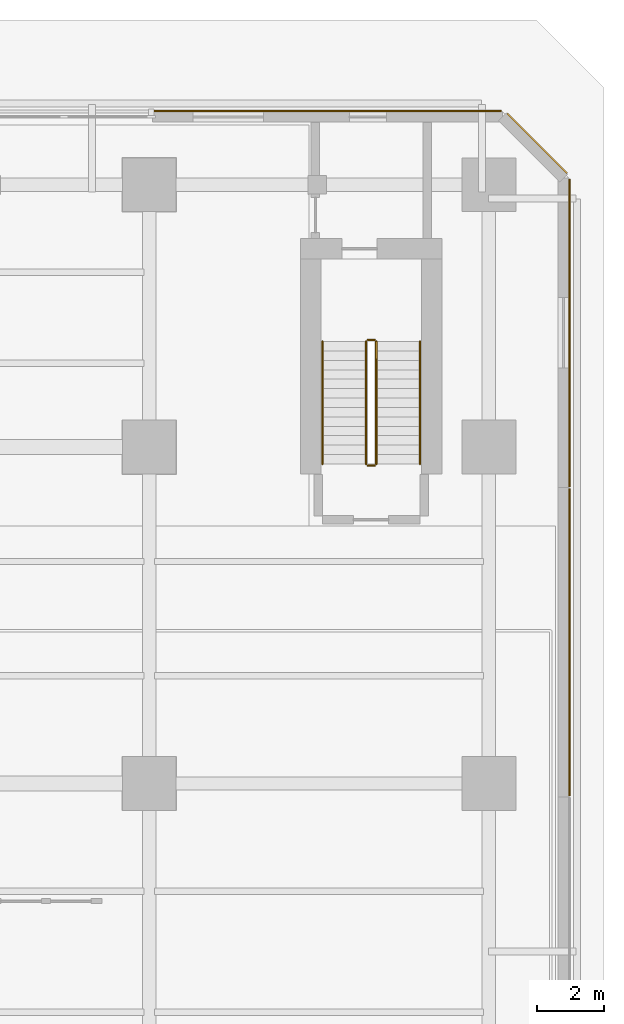
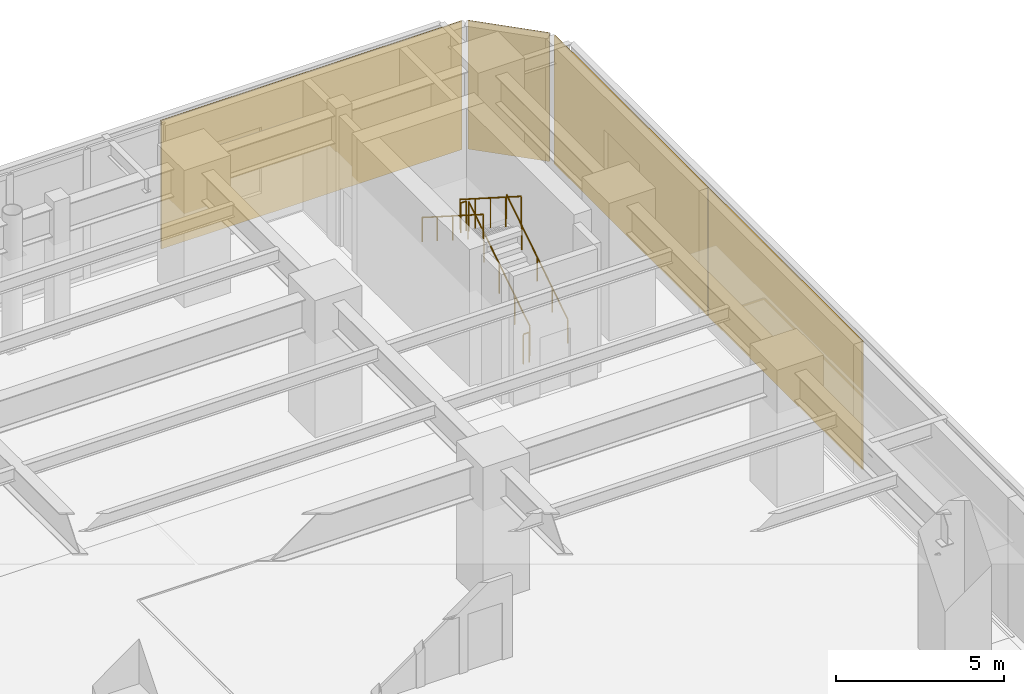
# One storey, part 25 of 26: 6 railings, 4 coverings.
"""IFC4 building model written with IfcOpenShell, lengths in metres."""

import ifcopenshell
import ifcopenshell.guid

model = None  # the IFC model being written
_history = None  # IfcOwnerHistory: only IFC2X3 demands one
_inside = {}  # id of a spatial element -> (the spatial element, [elements in it])
_under = {}  # id of a project, library or spatial element -> (it, [spatial elements below it])
_declared = {}  # id of a project -> (the project, [libraries it declares])
_typed = {}  # id of a type object -> (the type object, [elements of that type])
_made_of = {}  # id of a material, layer set ... -> (it, [elements and type objects made of it])


def new_model(schema):
    """Start an empty IFC model of exactly this schema.

    Asked for "IFC4X3", IfcOpenShell would pick the latest addendum, in which some entities
    have other attributes; the version numbers below select the first issue.
    IFC2X3 requires an IfcOwnerHistory on every rooted entity: one is made here for all.
    """
    global model, _history
    if schema == "IFC4X3":
        model = ifcopenshell.file(schema_version=(4, 3, 0, 0))
    else:
        model = ifcopenshell.file(schema=schema)
    _inside.clear()
    _under.clear()
    _declared.clear()
    _typed.clear()
    _made_of.clear()
    _history = None
    if model.schema == "IFC2X3":
        org = make("IfcOrganization", Name="unknown")
        user = make(
            "IfcPersonAndOrganization",
            ThePerson=make("IfcPerson", FamilyName="unknown"),
            TheOrganization=org,
        )
        app = make(
            "IfcApplication",
            ApplicationDeveloper=org,
            Version="unknown",
            ApplicationFullName="unknown",
            ApplicationIdentifier="unknown",
        )
        _history = make(
            "IfcOwnerHistory",
            OwningUser=user,
            OwningApplication=app,
            ChangeAction="ADDED",
            CreationDate=0,
        )
    return model


def make(cls, **values):
    """One entity of the class cls with the attributes given. An attribute that is None is left unset."""
    return model.create_entity(
        cls, **{name: value for name, value in values.items() if value is not None}
    )


def rooted(cls, **values):
    """An entity with a GlobalId (a new one), such as an element, a storey or a relation."""
    return make(cls, GlobalId=ifcopenshell.guid.new(), OwnerHistory=_history, **values)


def si_unit(unit_type, name, prefix=None):
    """IfcSIUnit, for example si_unit("LENGTHUNIT", "METRE", prefix="MILLI")."""
    return make("IfcSIUnit", UnitType=unit_type, Prefix=prefix, Name=name)


def assignment(units):
    """IfcUnitAssignment: the units of a project."""
    return None if units is None else make("IfcUnitAssignment", Units=units)


def point(xyz):
    """IfcCartesianPoint."""
    return None if xyz is None else make("IfcCartesianPoint", Coordinates=xyz)


def direction(xyz):
    """IfcDirection."""
    return None if xyz is None else make("IfcDirection", DirectionRatios=xyz)


def frame(location, z_axis=None, x_axis=None):
    """IfcAxis2Placement3D, a coordinate frame: its origin and axes. An axis left out is left unset."""
    return make(
        "IfcAxis2Placement3D",
        Location=point(location),
        Axis=direction(z_axis),
        RefDirection=direction(x_axis),
    )


def frame_2d(location, x_axis=None):
    """IfcAxis2Placement2D, a coordinate frame in the plane: its origin and x axis."""
    return make(
        "IfcAxis2Placement2D", Location=point(location), RefDirection=direction(x_axis)
    )


def origin():
    """The frame at (0, 0, 0) with its axes left unset."""
    return frame((0.0, 0.0, 0.0))


def origin_2d():
    """The frame at (0, 0) in the plane with its x axis left unset."""
    return frame_2d((0.0, 0.0))


def place(relative_to, where):
    """IfcLocalPlacement: puts the frame where relative to a parent placement (None: the world)."""
    return make(
        "IfcLocalPlacement", PlacementRelTo=relative_to, RelativePlacement=where
    )


def context(
    kind, dimensions, precision=None, world=None, true_north=None, identifier=None
):
    """IfcGeometricRepresentationContext, for example the 3D "Model" context."""
    return make(
        "IfcGeometricRepresentationContext",
        ContextIdentifier=identifier,
        ContextType=kind,
        CoordinateSpaceDimension=dimensions,
        Precision=precision,
        WorldCoordinateSystem=world,
        TrueNorth=true_north,
    )


def subcontext(parent, identifier, kind, view, scale=None):
    """IfcGeometricRepresentationSubContext, for example "Body" below "Model"."""
    return make(
        "IfcGeometricRepresentationSubContext",
        ContextIdentifier=identifier,
        ContextType=kind,
        ParentContext=parent,
        TargetScale=scale,
        TargetView=view,
    )


def project(units=None, contexts=None):
    """IfcProject with its units and contexts."""
    return rooted(
        "IfcProject",
        Name="project",
        RepresentationContexts=contexts,
        UnitsInContext=assignment(units),
    )


def spatial(cls, under=None, at=None, **own):
    """A site, building, storey or space (cls), placed at a placement, below another one or the project."""
    s = rooted(cls, ObjectPlacement=at, **own)
    if under is not None:
        _under.setdefault(under.id(), (under, []))[1].append(s)
    return s


def polyline(points):
    """IfcPolyline through the points."""
    return make("IfcPolyline", Points=[point(p) for p in points])


def profile(cls, at=None, kind="AREA", **sizes):
    """A parametric profile (cls). Its sizes go by their IFC names, for example OverallWidth=200.0."""
    return make(cls, ProfileType=kind, Position=at, **sizes)


def circle(**sizes):
    """IfcCircleProfileDef."""
    return profile("IfcCircleProfileDef", **sizes)


def outline(outer, holes=None, kind="AREA"):
    """IfcArbitraryClosedProfileDef: a profile drawn as a closed curve; with holes, ...WithVoids."""
    if holes is None:
        return make("IfcArbitraryClosedProfileDef", ProfileType=kind, OuterCurve=outer)
    return make(
        "IfcArbitraryProfileDefWithVoids",
        ProfileType=kind,
        OuterCurve=outer,
        InnerCurves=holes,
    )


def extrude(swept, where, along, depth):
    """IfcExtrudedAreaSolid: the profile swept, set in the frame where, extruded along a direction by depth."""
    return make(
        "IfcExtrudedAreaSolid",
        SweptArea=swept,
        Position=where,
        ExtrudedDirection=direction(along),
        Depth=depth,
    )


def shape(context_of_items, identifier, shape_type, items):
    """IfcShapeRepresentation: the items that make up one representation, for example the "Body"."""
    return make(
        "IfcShapeRepresentation",
        ContextOfItems=context_of_items,
        RepresentationIdentifier=identifier,
        RepresentationType=shape_type,
        Items=items,
    )


def material(Name=None, Category=None):
    """IfcMaterial."""
    return make("IfcMaterial", Name=Name, Category=Category)


def layer(
    of_material, thickness, ventilated=None, Name=None, Category=None, Priority=None
):
    """IfcMaterialLayer: one layer of a wall or slab, of a material (None: an air gap)."""
    return make(
        "IfcMaterialLayer",
        Material=of_material,
        LayerThickness=thickness,
        IsVentilated=ventilated,
        Name=Name,
        Category=Category,
        Priority=Priority,
    )


def layer_set(layers, Name=None):
    """IfcMaterialLayerSet."""
    return make("IfcMaterialLayerSet", MaterialLayers=layers, LayerSetName=Name)


def made_of(thing, what):
    """Note that an element or type object is made of a material, layer set ...; save() writes the relation."""
    if what is not None:
        _made_of.setdefault(what.id(), (what, []))[1].append(thing)
    return thing


def type_object(cls, material=None, **own):
    """A type object (cls), such as IfcWallType, which elements share."""
    return made_of(rooted(cls, **own), material)


def element(
    cls,
    number,
    at=None,
    inside=None,
    cuts=None,
    type_object=None,
    material=None,
    context=None,
    identifier="Body",
    shape_type=None,
    held_by="IfcProductDefinitionShape",
    body=None,
    shapes=None,
    **own,
):
    """One element of the class cls, such as IfcWall. Its Tag is "e" and its number.

    at: its placement. inside: the storey or other place that contains it. cuts: it is an
    opening in that element (IfcRelVoidsElement). A single representation is given by context,
    identifier, shape_type and body (its items); several are given by shapes. held_by: the class
    of the entity that holds the representations. save() writes the other relations.
    """
    e = rooted(cls, Tag="e%d" % number, ObjectPlacement=at, **own)
    if body is not None:
        shapes = [shape(context, identifier, shape_type, body)]
    if shapes is not None:
        e.Representation = make(held_by, Representations=shapes)
    if inside is not None:
        _inside.setdefault(inside.id(), (inside, []))[1].append(e)
    if cuts is not None:
        rooted(
            "IfcRelVoidsElement", RelatingBuildingElement=cuts, RelatedOpeningElement=e
        )
    if type_object is not None:
        _typed.setdefault(type_object.id(), (type_object, []))[1].append(e)
    return made_of(e, material)


def aggregate(whole, parts):
    """IfcRelAggregates: a whole, such as a stair, and the parts it consists of."""
    return rooted("IfcRelAggregates", RelatingObject=whole, RelatedObjects=parts)


def save(model, path):
    """Write the relations noted so far, then the file.

    IfcRelAggregates (storeys below a building ...), IfcRelContainedInSpatialStructure (elements
    in a storey), IfcRelDefinesByType, IfcRelAssociatesMaterial and IfcRelDeclares: one each for
    every whole, place, type object, material and project.
    """
    for whole, parts in _under.values():
        aggregate(whole, parts)
    for where, things in _inside.values():
        rooted(
            "IfcRelContainedInSpatialStructure",
            RelatedElements=things,
            RelatingStructure=where,
        )
    for kind, things in _typed.values():
        rooted("IfcRelDefinesByType", RelatedObjects=things, RelatingType=kind)
    for what, things in _made_of.values():
        rooted("IfcRelAssociatesMaterial", RelatedObjects=things, RelatingMaterial=what)
    for by, libraries in _declared.values():
        rooted("IfcRelDeclares", RelatingContext=by, RelatedDefinitions=libraries)
    model.write(path)


model = new_model("IFC4")

# Units and contexts
model_context = context("Model", 3, precision=1e-05, world=origin(), true_north=direction((0.0, 1.0)))
body_context = subcontext(model_context, "Body", "Model", "MODEL_VIEW")
ifc_project = project(units=[si_unit("LENGTHUNIT", "METRE"), si_unit("AREAUNIT", "SQUARE_METRE"), si_unit("VOLUMEUNIT", "CUBIC_METRE"), si_unit("PLANEANGLEUNIT", "RADIAN"), si_unit("MASSUNIT", "GRAM", prefix="KILO")], contexts=[model_context])

# Site, building, storey
site_placement = place(None, origin())
site = spatial("IfcSite", under=ifc_project, at=site_placement, CompositionType="ELEMENT")
building_placement = place(site_placement, origin())
building = spatial("IfcBuilding", under=site, at=building_placement, Name="Quenlor Broadcast Tower", CompositionType="ELEMENT")
storey_placement = place(building_placement, origin())
storey = spatial("IfcBuildingStorey", under=building, at=storey_placement, Name="L00", CompositionType="ELEMENT", Elevation=0.0)

# Coverings
ifc_material_1 = material(Name="Architectural Terracotta Ceramic", Category="masonry")
ifc_layer = layer(ifc_material_1, 0.044921875)
ifc_layer_set = layer_set([ifc_layer], Name="Fluted Terracotta Rainscreen Cladding Panel")
covering_type = type_object("IfcCoveringType", Name="Fluted Terracotta Rainscreen Cladding Panel", PredefinedType="CLADDING", material=ifc_layer_set)
covering_1_placement = place(storey_placement, frame((0.0, 0.0, 0.02001953125)))
element("IfcCovering", 1, at=covering_1_placement, inside=storey, type_object=covering_type, Name="L00 Terracotta Rainscreen Cladding L00-EW-NE", PredefinedType="CLADDING", context=body_context, shape_type="SweptSolid", body=[
    extrude(outline(polyline([(24.6298828125, 24.971923828125), (34.969970703125, 24.971923828125), (34.969970703125, 25.01708984375), (24.6298828125, 25.01708984375), (24.6298828125, 24.971923828125)])), origin(), (0.0, 0.0, 1.0), 4.659912109375),
])
covering_2_placement = place(storey_placement, frame((0.0, 0.0, 0.02001953125)))
element("IfcCovering", 2, at=covering_2_placement, inside=storey, type_object=covering_type, Name="L00 Terracotta Rainscreen Cladding L00-EW-E1", PredefinedType="CLADDING", context=body_context, shape_type="SweptSolid", body=[
    extrude(outline(polyline([(36.971923828125, 22.969970703125), (36.971923828125, 13.830078125), (37.01708984375, 13.830078125), (37.01708984375, 22.969970703125), (36.971923828125, 22.969970703125)])), origin(), (0.0, 0.0, 1.0), 4.659912109375),
])
covering_3_placement = place(storey_placement, frame((0.0, 0.0, 0.02001953125)))
element("IfcCovering", 3, at=covering_3_placement, inside=storey, type_object=covering_type, Name="L00 Terracotta Rainscreen Cladding L00-EW-E2", PredefinedType="CLADDING", context=body_context, shape_type="SweptSolid", body=[
    extrude(outline(polyline([(36.971923828125, 13.77001953125), (36.971923828125, 4.6298828125), (37.01708984375, 4.6298828125), (37.01708984375, 13.77001953125), (36.971923828125, 13.77001953125)])), origin(), (0.0, 0.0, 1.0), 4.659912109375),
])
covering_4_placement = place(storey_placement, frame((0.0, 0.0, 0.02001953125)))
element("IfcCovering", 4, at=covering_4_placement, inside=storey, type_object=covering_type, Name="L00 Terracotta Rainscreen Cladding L00-EW-CNE", PredefinedType="CLADDING", context=body_context, shape_type="SweptSolid", body=[
    extrude(outline(polyline([(35.128662109375, 24.90625), (36.90625, 23.128662109375), (36.93798828125, 23.160400390625), (35.160400390625, 24.93798828125), (35.128662109375, 24.90625)])), origin(), (0.0, 0.0, 1.0), 4.659912109375),
])

# Railings
ifc_material_2 = material(Name="Anodised Aluminium", Category="aluminium")
railing_type_1 = type_object("IfcRailingType", Name="Stainless Aluminium Wall Handrail 900", PredefinedType="HANDRAIL", material=ifc_material_2)
railing_1_placement = place(storey_placement, frame((32.550048828125, 14.5, 0.178466796875)))
element("IfcRailing", 5, at=railing_1_placement, inside=storey, type_object=railing_type_1, Name="L00 ST-4 stair handrail 1", PredefinedType="HANDRAIL", context=body_context, shape_type="SweptSolid", body=[
    extrude(circle(Radius=0.02392578125, at=origin_2d()), frame((0.0, 0.0, 0.8759765625), z_axis=(0.0, 0.843111507901, 0.53773877045), x_axis=(-1.0, 0.0, 0.0)), (0.0, 0.0, 1.0), 4.317138671875),
    extrude(circle(Radius=0.02099609375, at=origin_2d()), origin(), (0.0, 0.0, 1.0), 0.851806640625),
    extrude(circle(Radius=0.02099609375, at=origin_2d()), frame((0.0, 0.909912109375, 0.580322265625)), (0.0, 0.0, 1.0), 0.851806640625),
    extrude(circle(Radius=0.02099609375, at=origin_2d()), frame((0.0, 1.81982421875, 1.16064453125)), (0.0, 0.0, 1.0), 0.851806640625),
    extrude(circle(Radius=0.02099609375, at=origin_2d()), frame((0.0, 2.72998046875, 1.7412109375)), (0.0, 0.0, 1.0), 0.851806640625),
    extrude(circle(Radius=0.02099609375, at=origin_2d()), frame((0.0, 3.639892578125, 2.321533203125)), (0.0, 0.0, 1.0), 0.851806640625),
])
railing_2_placement = place(storey_placement, frame((29.64990234375, 18.139892578125, 2.678466796875)))
element("IfcRailing", 6, at=railing_2_placement, inside=storey, type_object=railing_type_1, Name="L00 ST-4 stair handrail 2", PredefinedType="HANDRAIL", context=body_context, shape_type="SweptSolid", body=[
    extrude(circle(Radius=0.02392578125, at=origin_2d()), frame((0.0, 0.0, 0.8759765625), z_axis=(0.0, -0.843111507901, 0.53773877045), x_axis=(1.0, 0.0, 0.0)), (0.0, 0.0, 1.0), 4.317138671875),
    extrude(circle(Radius=0.02099609375, at=origin_2d()), origin(), (0.0, 0.0, 1.0), 0.851806640625),
    extrude(circle(Radius=0.02099609375, at=origin_2d()), frame((0.0, -0.909912109375, 0.580322265625)), (0.0, 0.0, 1.0), 0.851806640625),
    extrude(circle(Radius=0.02099609375, at=origin_2d()), frame((0.0, -1.81982421875, 1.16064453125)), (0.0, 0.0, 1.0), 0.851806640625),
    extrude(circle(Radius=0.02099609375, at=origin_2d()), frame((0.0, -2.72998046875, 1.7412109375)), (0.0, 0.0, 1.0), 0.851806640625),
    extrude(circle(Radius=0.02099609375, at=origin_2d()), frame((0.0, -3.639892578125, 2.321533203125)), (0.0, 0.0, 1.0), 0.851806640625),
])
ifc_material_3 = material(Name="Steel S355", Category="steel")
railing_type_2 = type_object("IfcRailingType", Name="Tubular Steel S355 Stair Guardrail 1100", PredefinedType="BALUSTRADE", material=ifc_material_3)
railing_3_placement = place(storey_placement, frame((31.25, 14.5, 0.178466796875)))
element("IfcRailing", 7, at=railing_3_placement, inside=storey, type_object=railing_type_2, Name="L00 ST-4 stair guard 1", PredefinedType="BALUSTRADE", context=body_context, shape_type="SweptSolid", body=[
    extrude(circle(Radius=0.02392578125, at=origin_2d()), frame((0.0, 0.0, 1.076171875), z_axis=(0.0, 0.843111507901, 0.53773877045), x_axis=(-1.0, 0.0, 0.0)), (0.0, 0.0, 1.0), 4.317138671875),
    extrude(circle(Radius=0.02099609375, at=origin_2d()), origin(), (0.0, 0.0, 1.0), 1.052001953125),
    extrude(circle(Radius=0.02099609375, at=origin_2d()), frame((0.0, 0.909912109375, 0.580322265625)), (0.0, 0.0, 1.0), 1.052001953125),
    extrude(circle(Radius=0.02099609375, at=origin_2d()), frame((0.0, 1.81982421875, 1.16064453125)), (0.0, 0.0, 1.0), 1.052001953125),
    extrude(circle(Radius=0.02099609375, at=origin_2d()), frame((0.0, 2.72998046875, 1.7412109375)), (0.0, 0.0, 1.0), 1.052001953125),
    extrude(circle(Radius=0.02099609375, at=origin_2d()), frame((0.0, 3.639892578125, 2.321533203125)), (0.0, 0.0, 1.0), 1.052001953125),
])
railing_4_placement = place(storey_placement, frame((31.199951171875, 18.18994140625, 2.5)))
element("IfcRailing", 8, at=railing_4_placement, inside=storey, type_object=railing_type_2, Name="L00 ST-4 stair guard 2", PredefinedType="BALUSTRADE", context=body_context, shape_type="SweptSolid", body=[
    extrude(circle(Radius=0.02392578125, at=origin_2d()), frame((0.0, 0.0, 1.076171875), z_axis=(-1.0, 0.0, 0.0), x_axis=(0.0, -1.0, 0.0)), (0.0, 0.0, 1.0), 0.199951171875),
    extrude(circle(Radius=0.02099609375, at=origin_2d()), origin(), (0.0, 0.0, 1.0), 1.052001953125),
    extrude(circle(Radius=0.02099609375, at=origin_2d()), frame((-0.199951171875, 0.0, 0.0)), (0.0, 0.0, 1.0), 1.052001953125),
])
railing_5_placement = place(storey_placement, frame((30.949951171875, 18.139892578125, 2.678466796875)))
element("IfcRailing", 9, at=railing_5_placement, inside=storey, type_object=railing_type_2, Name="L00 ST-4 stair guard 3", PredefinedType="BALUSTRADE", context=body_context, shape_type="SweptSolid", body=[
    extrude(circle(Radius=0.02392578125, at=origin_2d()), frame((0.0, 0.0, 1.076171875), z_axis=(0.0, -0.843111507901, 0.53773877045), x_axis=(1.0, 0.0, 0.0)), (0.0, 0.0, 1.0), 4.317138671875),
    extrude(circle(Radius=0.02099609375, at=origin_2d()), origin(), (0.0, 0.0, 1.0), 1.052001953125),
    extrude(circle(Radius=0.02099609375, at=origin_2d()), frame((0.0, -0.909912109375, 0.580322265625)), (0.0, 0.0, 1.0), 1.052001953125),
    extrude(circle(Radius=0.02099609375, at=origin_2d()), frame((0.0, -1.81982421875, 1.16064453125)), (0.0, 0.0, 1.0), 1.052001953125),
    extrude(circle(Radius=0.02099609375, at=origin_2d()), frame((0.0, -2.72998046875, 1.7412109375)), (0.0, 0.0, 1.0), 1.052001953125),
    extrude(circle(Radius=0.02099609375, at=origin_2d()), frame((0.0, -3.639892578125, 2.321533203125)), (0.0, 0.0, 1.0), 1.052001953125),
])
railing_6_placement = place(storey_placement, frame((31.199951171875, 14.449951171875, 0.0)))
element("IfcRailing", 10, at=railing_6_placement, inside=storey, type_object=railing_type_2, Name="L00 ST-4 stair guard 4", PredefinedType="BALUSTRADE", context=body_context, shape_type="SweptSolid", body=[
    extrude(circle(Radius=0.02392578125, at=origin_2d()), frame((0.0, 0.0, 1.076171875), z_axis=(-1.0, 0.0, 0.0), x_axis=(0.0, -1.0, 0.0)), (0.0, 0.0, 1.0), 0.199951171875),
    extrude(circle(Radius=0.02099609375, at=origin_2d()), origin(), (0.0, 0.0, 1.0), 1.052001953125),
    extrude(circle(Radius=0.02099609375, at=origin_2d()), frame((-0.199951171875, 0.0, 0.0)), (0.0, 0.0, 1.0), 1.052001953125),
])

save(model, "model.ifc")
